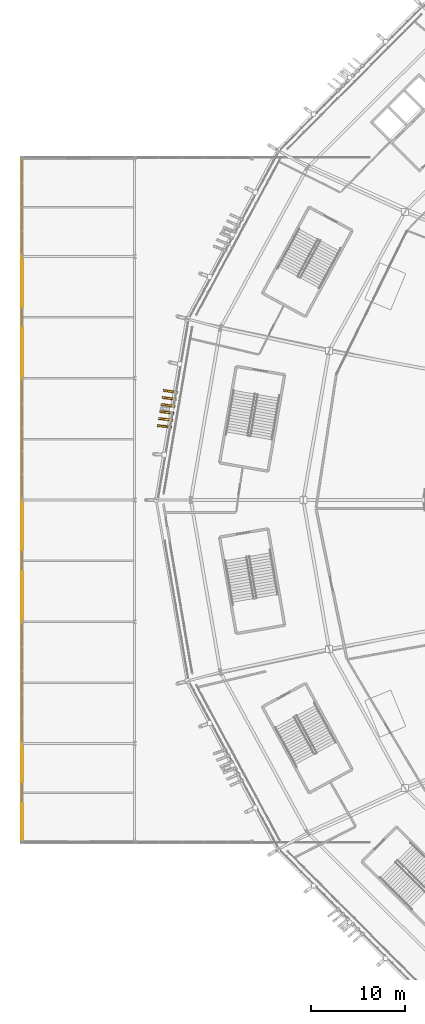
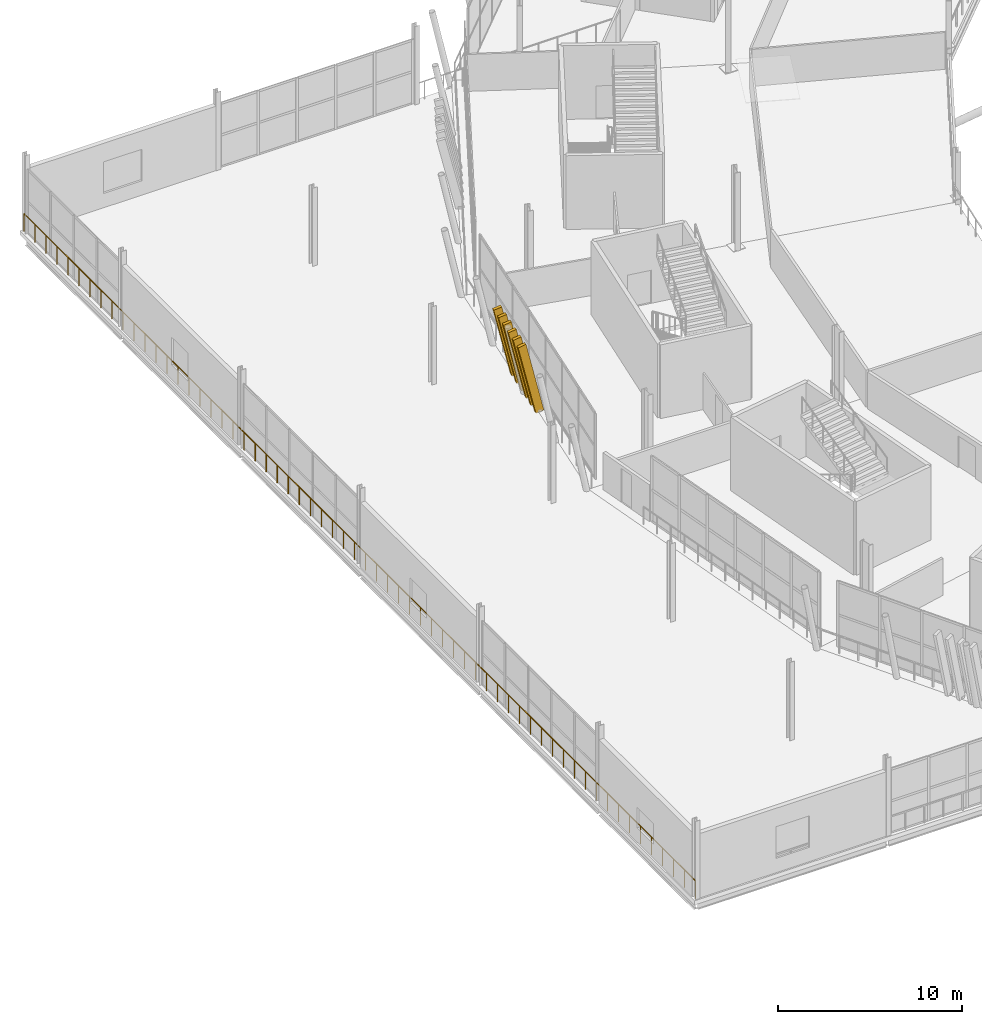
# One storey, part 147 of 168: 6 shading devices, 1 railing.
"""IFC4 building model written with IfcOpenShell, lengths in metres."""

from ifc_helpers import new_model, si_unit, direction, frame, origin, origin_2d, place, context, subcontext, project, spatial, rectangle, extrude, material, material_profile, profile_set, type_object, element, save


model = new_model("IFC4")

# Units and contexts
model_context = context("Model", 3, precision=1e-05, world=origin(), true_north=direction((0.0, 1.0)))
body_context = subcontext(model_context, "Body", "Model", "MODEL_VIEW")
ifc_project = project(units=[si_unit("LENGTHUNIT", "METRE"), si_unit("AREAUNIT", "SQUARE_METRE"), si_unit("VOLUMEUNIT", "CUBIC_METRE"), si_unit("PLANEANGLEUNIT", "RADIAN"), si_unit("MASSUNIT", "GRAM", prefix="KILO")], contexts=[model_context])

# Site, building, storey
site_placement = place(None, origin())
site = spatial("IfcSite", under=ifc_project, at=site_placement, CompositionType="ELEMENT")
building_placement = place(site_placement, origin())
building = spatial("IfcBuilding", under=site, at=building_placement, Name="Zlatoyarsky Gate Stadium", CompositionType="ELEMENT")
storey_placement = place(building_placement, frame((0.0, 0.0, 15.60009765625)))
storey = spatial("IfcBuildingStorey", under=building, at=storey_placement, Name="L03", CompositionType="ELEMENT", Elevation=15.60009765625)

# Railing
ifc_material_1 = material(Name="Powder-coated steel tubular guardrail", Category="steel")
railing_type = type_object("IfcRailingType", Name="CONCOURSE SLAB EDGE GUARDRAIL 1200", PredefinedType="GUARDRAIL", material=ifc_material_1)
railing_placement = place(storey_placement, frame((-0.080078125, 43.419921875, 0.0)))
element("IfcRailing", 1, at=railing_placement, inside=storey, type_object=railing_type, Name="V4_WEST L03 W slab edge guardrail", PredefinedType="GUARDRAIL", context=body_context, shape_type="SweptSolid", body=[
    extrude(rectangle(XDim=0.048095703125, YDim=0.048095703125, at=origin_2d()), frame((0.0, 0.0, 1.17578125), z_axis=(0.0, 1.0, 0.0), x_axis=(-1.0, 0.0, 0.0)), (0.0, 0.0, 1.0), 73.16015625),
    extrude(rectangle(XDim=0.0419921875, YDim=0.0419921875, at=origin_2d()), origin(), (0.0, 0.0, 1.0), 1.15185546875),
    extrude(rectangle(XDim=0.0419921875, YDim=0.0419921875, at=origin_2d()), frame((0.0, 1.199462890625, 0.0)), (0.0, 0.0, 1.0), 1.15185546875),
    extrude(rectangle(XDim=0.0419921875, YDim=0.0419921875, at=origin_2d()), frame((0.0, 2.398681640625, 0.0)), (0.0, 0.0, 1.0), 1.15185546875),
    extrude(rectangle(XDim=0.0419921875, YDim=0.0419921875, at=origin_2d()), frame((0.0, 3.59814453125, 0.0)), (0.0, 0.0, 1.0), 1.15185546875),
    extrude(rectangle(XDim=0.0419921875, YDim=0.0419921875, at=origin_2d()), frame((0.0, 4.79736328125, 0.0)), (0.0, 0.0, 1.0), 1.15185546875),
    extrude(rectangle(XDim=0.0419921875, YDim=0.0419921875, at=origin_2d()), frame((0.0, 5.996826171875, 0.0)), (0.0, 0.0, 1.0), 1.15185546875),
    extrude(rectangle(XDim=0.0419921875, YDim=0.0419921875, at=origin_2d()), frame((0.0, 7.196044921875, 0.0)), (0.0, 0.0, 1.0), 1.15185546875),
    extrude(rectangle(XDim=0.0419921875, YDim=0.0419921875, at=origin_2d()), frame((0.0, 8.3955078125, 0.0)), (0.0, 0.0, 1.0), 1.15185546875),
    extrude(rectangle(XDim=0.0419921875, YDim=0.0419921875, at=origin_2d()), frame((0.0, 9.5947265625, 0.0)), (0.0, 0.0, 1.0), 1.15185546875),
    extrude(rectangle(XDim=0.0419921875, YDim=0.0419921875, at=origin_2d()), frame((0.0, 10.794189453125, 0.0)), (0.0, 0.0, 1.0), 1.15185546875),
    extrude(rectangle(XDim=0.0419921875, YDim=0.0419921875, at=origin_2d()), frame((0.0, 11.993408203125, 0.0)), (0.0, 0.0, 1.0), 1.15185546875),
    extrude(rectangle(XDim=0.0419921875, YDim=0.0419921875, at=origin_2d()), frame((0.0, 13.19287109375, 0.0)), (0.0, 0.0, 1.0), 1.15185546875),
    extrude(rectangle(XDim=0.0419921875, YDim=0.0419921875, at=origin_2d()), frame((0.0, 14.39208984375, 0.0)), (0.0, 0.0, 1.0), 1.15185546875),
    extrude(rectangle(XDim=0.0419921875, YDim=0.0419921875, at=origin_2d()), frame((0.0, 15.591552734375, 0.0)), (0.0, 0.0, 1.0), 1.15185546875),
    extrude(rectangle(XDim=0.0419921875, YDim=0.0419921875, at=origin_2d()), frame((0.0, 16.790771484375, 0.0)), (0.0, 0.0, 1.0), 1.15185546875),
    extrude(rectangle(XDim=0.0419921875, YDim=0.0419921875, at=origin_2d()), frame((0.0, 17.990234375, 0.0)), (0.0, 0.0, 1.0), 1.15185546875),
    extrude(rectangle(XDim=0.0419921875, YDim=0.0419921875, at=origin_2d()), frame((0.0, 19.189453125, 0.0)), (0.0, 0.0, 1.0), 1.15185546875),
    extrude(rectangle(XDim=0.0419921875, YDim=0.0419921875, at=origin_2d()), frame((0.0, 20.388916015625, 0.0)), (0.0, 0.0, 1.0), 1.15185546875),
    extrude(rectangle(XDim=0.0419921875, YDim=0.0419921875, at=origin_2d()), frame((0.0, 21.588134765625, 0.0)), (0.0, 0.0, 1.0), 1.15185546875),
    extrude(rectangle(XDim=0.0419921875, YDim=0.0419921875, at=origin_2d()), frame((0.0, 22.78759765625, 0.0)), (0.0, 0.0, 1.0), 1.15185546875),
    extrude(rectangle(XDim=0.0419921875, YDim=0.0419921875, at=origin_2d()), frame((0.0, 23.98681640625, 0.0)), (0.0, 0.0, 1.0), 1.15185546875),
    extrude(rectangle(XDim=0.0419921875, YDim=0.0419921875, at=origin_2d()), frame((0.0, 25.186279296875, 0.0)), (0.0, 0.0, 1.0), 1.15185546875),
    extrude(rectangle(XDim=0.0419921875, YDim=0.0419921875, at=origin_2d()), frame((0.0, 26.3857421875, 0.0)), (0.0, 0.0, 1.0), 1.15185546875),
    extrude(rectangle(XDim=0.0419921875, YDim=0.0419921875, at=origin_2d()), frame((0.0, 27.5849609375, 0.0)), (0.0, 0.0, 1.0), 1.15185546875),
    extrude(rectangle(XDim=0.0419921875, YDim=0.0419921875, at=origin_2d()), frame((0.0, 28.784423828125, 0.0)), (0.0, 0.0, 1.0), 1.15185546875),
    extrude(rectangle(XDim=0.0419921875, YDim=0.0419921875, at=origin_2d()), frame((0.0, 29.983642578125, 0.0)), (0.0, 0.0, 1.0), 1.15185546875),
    extrude(rectangle(XDim=0.0419921875, YDim=0.0419921875, at=origin_2d()), frame((0.0, 31.18310546875, 0.0)), (0.0, 0.0, 1.0), 1.15185546875),
    extrude(rectangle(XDim=0.0419921875, YDim=0.0419921875, at=origin_2d()), frame((0.0, 32.38232421875, 0.0)), (0.0, 0.0, 1.0), 1.15185546875),
    extrude(rectangle(XDim=0.0419921875, YDim=0.0419921875, at=origin_2d()), frame((0.0, 33.581787109375, 0.0)), (0.0, 0.0, 1.0), 1.15185546875),
    extrude(rectangle(XDim=0.0419921875, YDim=0.0419921875, at=origin_2d()), frame((0.0, 34.781005859375, 0.0)), (0.0, 0.0, 1.0), 1.15185546875),
    extrude(rectangle(XDim=0.0419921875, YDim=0.0419921875, at=origin_2d()), frame((0.0, 35.98046875, 0.0)), (0.0, 0.0, 1.0), 1.15185546875),
    extrude(rectangle(XDim=0.0419921875, YDim=0.0419921875, at=origin_2d()), frame((0.0, 37.1796875, 0.0)), (0.0, 0.0, 1.0), 1.15185546875),
    extrude(rectangle(XDim=0.0419921875, YDim=0.0419921875, at=origin_2d()), frame((0.0, 38.379150390625, 0.0)), (0.0, 0.0, 1.0), 1.15185546875),
    extrude(rectangle(XDim=0.0419921875, YDim=0.0419921875, at=origin_2d()), frame((0.0, 39.578369140625, 0.0)), (0.0, 0.0, 1.0), 1.15185546875),
    extrude(rectangle(XDim=0.0419921875, YDim=0.0419921875, at=origin_2d()), frame((0.0, 40.77783203125, 0.0)), (0.0, 0.0, 1.0), 1.15185546875),
    extrude(rectangle(XDim=0.0419921875, YDim=0.0419921875, at=origin_2d()), frame((0.0, 41.97705078125, 0.0)), (0.0, 0.0, 1.0), 1.15185546875),
    extrude(rectangle(XDim=0.0419921875, YDim=0.0419921875, at=origin_2d()), frame((0.0, 43.176513671875, 0.0)), (0.0, 0.0, 1.0), 1.15185546875),
    extrude(rectangle(XDim=0.0419921875, YDim=0.0419921875, at=origin_2d()), frame((0.0, 44.375732421875, 0.0)), (0.0, 0.0, 1.0), 1.15185546875),
    extrude(rectangle(XDim=0.0419921875, YDim=0.0419921875, at=origin_2d()), frame((0.0, 45.5751953125, 0.0)), (0.0, 0.0, 1.0), 1.15185546875),
    extrude(rectangle(XDim=0.0419921875, YDim=0.0419921875, at=origin_2d()), frame((0.0, 46.7744140625, 0.0)), (0.0, 0.0, 1.0), 1.15185546875),
    extrude(rectangle(XDim=0.0419921875, YDim=0.0419921875, at=origin_2d()), frame((0.0, 47.973876953125, 0.0)), (0.0, 0.0, 1.0), 1.15185546875),
    extrude(rectangle(XDim=0.0419921875, YDim=0.0419921875, at=origin_2d()), frame((0.0, 49.17333984375, 0.0)), (0.0, 0.0, 1.0), 1.15185546875),
    extrude(rectangle(XDim=0.0419921875, YDim=0.0419921875, at=origin_2d()), frame((0.0, 50.37255859375, 0.0)), (0.0, 0.0, 1.0), 1.15185546875),
    extrude(rectangle(XDim=0.0419921875, YDim=0.0419921875, at=origin_2d()), frame((0.0, 51.572021484375, 0.0)), (0.0, 0.0, 1.0), 1.15185546875),
    extrude(rectangle(XDim=0.0419921875, YDim=0.0419921875, at=origin_2d()), frame((0.0, 52.771240234375, 0.0)), (0.0, 0.0, 1.0), 1.15185546875),
    extrude(rectangle(XDim=0.0419921875, YDim=0.0419921875, at=origin_2d()), frame((0.0, 53.970703125, 0.0)), (0.0, 0.0, 1.0), 1.15185546875),
    extrude(rectangle(XDim=0.0419921875, YDim=0.0419921875, at=origin_2d()), frame((0.0, 55.169921875, 0.0)), (0.0, 0.0, 1.0), 1.15185546875),
    extrude(rectangle(XDim=0.0419921875, YDim=0.0419921875, at=origin_2d()), frame((0.0, 56.369384765625, 0.0)), (0.0, 0.0, 1.0), 1.15185546875),
    extrude(rectangle(XDim=0.0419921875, YDim=0.0419921875, at=origin_2d()), frame((0.0, 57.568603515625, 0.0)), (0.0, 0.0, 1.0), 1.15185546875),
    extrude(rectangle(XDim=0.0419921875, YDim=0.0419921875, at=origin_2d()), frame((0.0, 58.76806640625, 0.0)), (0.0, 0.0, 1.0), 1.15185546875),
    extrude(rectangle(XDim=0.0419921875, YDim=0.0419921875, at=origin_2d()), frame((0.0, 59.96728515625, 0.0)), (0.0, 0.0, 1.0), 1.15185546875),
    extrude(rectangle(XDim=0.0419921875, YDim=0.0419921875, at=origin_2d()), frame((0.0, 61.166748046875, 0.0)), (0.0, 0.0, 1.0), 1.15185546875),
    extrude(rectangle(XDim=0.0419921875, YDim=0.0419921875, at=origin_2d()), frame((0.0, 62.365966796875, 0.0)), (0.0, 0.0, 1.0), 1.15185546875),
    extrude(rectangle(XDim=0.0419921875, YDim=0.0419921875, at=origin_2d()), frame((0.0, 63.5654296875, 0.0)), (0.0, 0.0, 1.0), 1.15185546875),
    extrude(rectangle(XDim=0.0419921875, YDim=0.0419921875, at=origin_2d()), frame((0.0, 64.7646484375, 0.0)), (0.0, 0.0, 1.0), 1.15185546875),
    extrude(rectangle(XDim=0.0419921875, YDim=0.0419921875, at=origin_2d()), frame((0.0, 65.964111328125, 0.0)), (0.0, 0.0, 1.0), 1.15185546875),
    extrude(rectangle(XDim=0.0419921875, YDim=0.0419921875, at=origin_2d()), frame((0.0, 67.163330078125, 0.0)), (0.0, 0.0, 1.0), 1.15185546875),
    extrude(rectangle(XDim=0.0419921875, YDim=0.0419921875, at=origin_2d()), frame((0.0, 68.36279296875, 0.0)), (0.0, 0.0, 1.0), 1.15185546875),
    extrude(rectangle(XDim=0.0419921875, YDim=0.0419921875, at=origin_2d()), frame((0.0, 69.56201171875, 0.0)), (0.0, 0.0, 1.0), 1.15185546875),
    extrude(rectangle(XDim=0.0419921875, YDim=0.0419921875, at=origin_2d()), frame((0.0, 70.761474609375, 0.0)), (0.0, 0.0, 1.0), 1.15185546875),
    extrude(rectangle(XDim=0.0419921875, YDim=0.0419921875, at=origin_2d()), frame((0.0, 71.960693359375, 0.0)), (0.0, 0.0, 1.0), 1.15185546875),
    extrude(rectangle(XDim=0.0419921875, YDim=0.0419921875, at=origin_2d()), frame((0.0, 73.16015625, 0.0)), (0.0, 0.0, 1.0), 1.15185546875),
])

# Shading devices
ifc_material_2 = material(Name="Precast concrete C40/50 stone-toned architectural rib", Category="masonry")
ifc_material_profile = material_profile(ifc_material_2, rectangle(XDim=0.199951171875, YDim=0.47998046875, at=origin_2d()), Name="RIB 200X480")
ifc_profile_set = profile_set([ifc_material_profile], Name="Precast concrete C40/50 stone-toned architectural rib")
shading_device_type = type_object("IfcShadingDeviceType", Name="PRECAST FLUTED GATE LOUVRE BLADE 200X480", PredefinedType="SHUTTER", material=ifc_profile_set)
for number, where, z_axis, x_axis, name in (
    (2, (16.339111328125, 91.505126953125, -0.010009765625), (-0.218867746406, 0.034434374668, 0.975146749687), (-0.155417858093, -0.987848819094, 0.0), "Leaning bowl louvre fin L03-11-1"),
    (3, (16.212890625, 90.765869140625, -0.010009765625), (-0.219078345427, 0.032238441223, 0.975174528724), (-0.145586982849, -0.989345455554, 0.0), "Leaning bowl louvre fin L03-11-2"),
    (4, (16.0869140625, 90.026611328125, -0.010009765625), (-0.219385492914, 0.029990518011, 0.975177201502), (-0.135442687994, -0.990785182706, 0.0), "Leaning bowl louvre fin L03-11-3"),
    (5, (15.9609375, 89.287109375, -0.010009765625), (-0.219739823832, 0.027793179299, 0.975162524407), (-0.125482477286, -0.992095836043, 0.0), "Leaning bowl louvre fin L03-11-4"),
    (6, (15.8349609375, 88.5478515625, -0.010009765625), (-0.219995821375, 0.025596355436, 0.975164942543), (-0.115569667391, -0.993299376814, 0.0), "Leaning bowl louvre fin L03-11-5"),
    (7, (15.708984375, 87.80859375, -0.010009765625), (-0.220299617052, 0.023348080935, 0.97515278077), (-0.105393043703, -0.994430644308, 0.0), "Leaning bowl louvre fin L03-11-6"),
):
    element("IfcShadingDevice", number, at=place(storey_placement, frame(where, z_axis=z_axis, x_axis=x_axis)), inside=storey, type_object=shading_device_type, Name=name, PredefinedType="SHUTTER", context=body_context, shape_type="SweptSolid", body=[
        extrude(rectangle(XDim=0.199951171875, YDim=0.47998046875, at=origin_2d()), origin(), (0.0, 0.0, 1.0), 4.778564453125),
    ])

save(model, "model.ifc")
